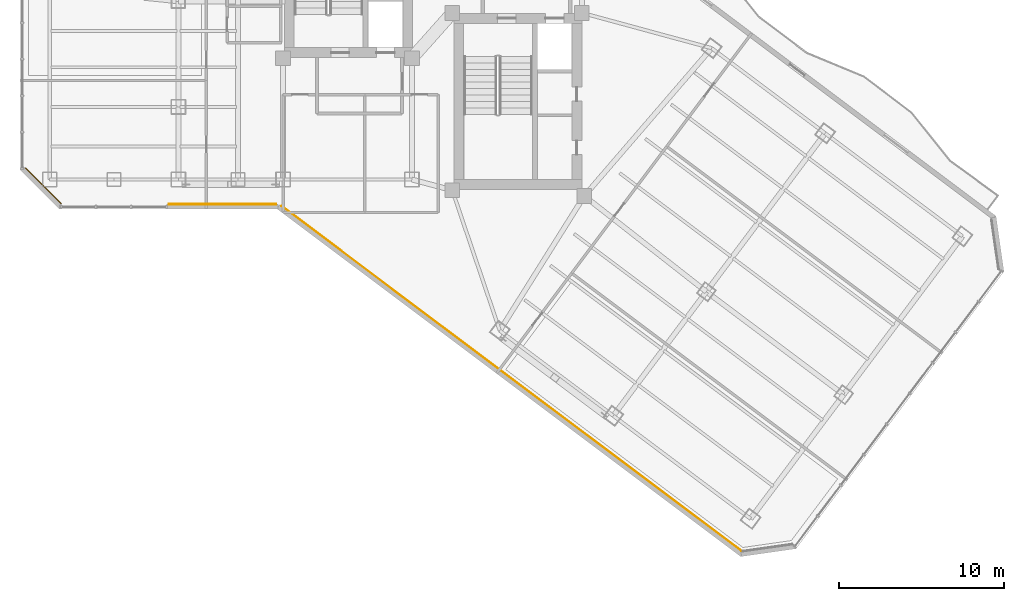
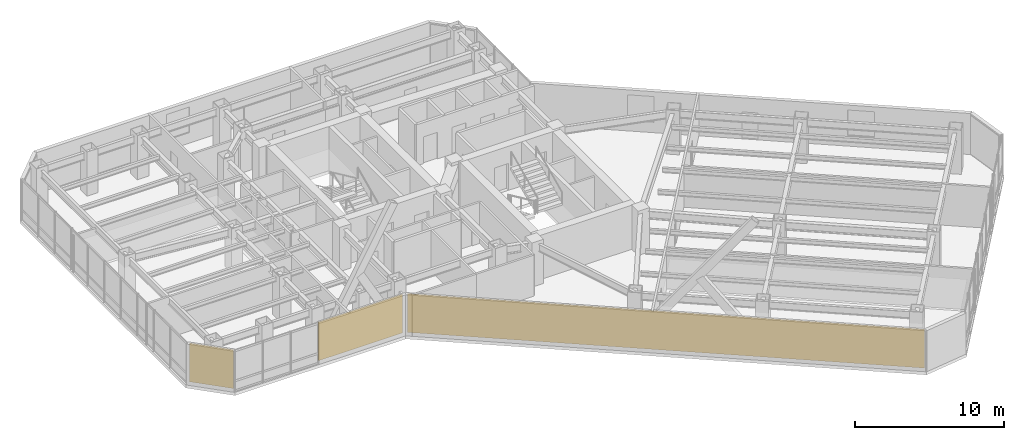
# One storey, part 25 of 29: 3 coverings.
"""IFC4 building model written with IfcOpenShell, lengths in metres."""

import ifcopenshell
import ifcopenshell.guid

model = None  # the IFC model being written
_history = None  # IfcOwnerHistory: only IFC2X3 demands one
_inside = {}  # id of a spatial element -> (the spatial element, [elements in it])
_under = {}  # id of a project, library or spatial element -> (it, [spatial elements below it])
_declared = {}  # id of a project -> (the project, [libraries it declares])
_typed = {}  # id of a type object -> (the type object, [elements of that type])
_made_of = {}  # id of a material, layer set ... -> (it, [elements and type objects made of it])


def new_model(schema):
    """Start an empty IFC model of exactly this schema.

    Asked for "IFC4X3", IfcOpenShell would pick the latest addendum, in which some entities
    have other attributes; the version numbers below select the first issue.
    IFC2X3 requires an IfcOwnerHistory on every rooted entity: one is made here for all.
    """
    global model, _history
    if schema == "IFC4X3":
        model = ifcopenshell.file(schema_version=(4, 3, 0, 0))
    else:
        model = ifcopenshell.file(schema=schema)
    _inside.clear()
    _under.clear()
    _declared.clear()
    _typed.clear()
    _made_of.clear()
    _history = None
    if model.schema == "IFC2X3":
        org = make("IfcOrganization", Name="unknown")
        user = make(
            "IfcPersonAndOrganization",
            ThePerson=make("IfcPerson", FamilyName="unknown"),
            TheOrganization=org,
        )
        app = make(
            "IfcApplication",
            ApplicationDeveloper=org,
            Version="unknown",
            ApplicationFullName="unknown",
            ApplicationIdentifier="unknown",
        )
        _history = make(
            "IfcOwnerHistory",
            OwningUser=user,
            OwningApplication=app,
            ChangeAction="ADDED",
            CreationDate=0,
        )
    return model


def make(cls, **values):
    """One entity of the class cls with the attributes given. An attribute that is None is left unset."""
    return model.create_entity(
        cls, **{name: value for name, value in values.items() if value is not None}
    )


def rooted(cls, **values):
    """An entity with a GlobalId (a new one), such as an element, a storey or a relation."""
    return make(cls, GlobalId=ifcopenshell.guid.new(), OwnerHistory=_history, **values)


def si_unit(unit_type, name, prefix=None):
    """IfcSIUnit, for example si_unit("LENGTHUNIT", "METRE", prefix="MILLI")."""
    return make("IfcSIUnit", UnitType=unit_type, Prefix=prefix, Name=name)


def assignment(units):
    """IfcUnitAssignment: the units of a project."""
    return None if units is None else make("IfcUnitAssignment", Units=units)


def point(xyz):
    """IfcCartesianPoint."""
    return None if xyz is None else make("IfcCartesianPoint", Coordinates=xyz)


def direction(xyz):
    """IfcDirection."""
    return None if xyz is None else make("IfcDirection", DirectionRatios=xyz)


def frame(location, z_axis=None, x_axis=None):
    """IfcAxis2Placement3D, a coordinate frame: its origin and axes. An axis left out is left unset."""
    return make(
        "IfcAxis2Placement3D",
        Location=point(location),
        Axis=direction(z_axis),
        RefDirection=direction(x_axis),
    )


def frame_2d(location, x_axis=None):
    """IfcAxis2Placement2D, a coordinate frame in the plane: its origin and x axis."""
    return make(
        "IfcAxis2Placement2D", Location=point(location), RefDirection=direction(x_axis)
    )


def origin():
    """The frame at (0, 0, 0) with its axes left unset."""
    return frame((0.0, 0.0, 0.0))


def origin_2d():
    """The frame at (0, 0) in the plane with its x axis left unset."""
    return frame_2d((0.0, 0.0))


def place(relative_to, where):
    """IfcLocalPlacement: puts the frame where relative to a parent placement (None: the world)."""
    return make(
        "IfcLocalPlacement", PlacementRelTo=relative_to, RelativePlacement=where
    )


def context(
    kind, dimensions, precision=None, world=None, true_north=None, identifier=None
):
    """IfcGeometricRepresentationContext, for example the 3D "Model" context."""
    return make(
        "IfcGeometricRepresentationContext",
        ContextIdentifier=identifier,
        ContextType=kind,
        CoordinateSpaceDimension=dimensions,
        Precision=precision,
        WorldCoordinateSystem=world,
        TrueNorth=true_north,
    )


def subcontext(parent, identifier, kind, view, scale=None):
    """IfcGeometricRepresentationSubContext, for example "Body" below "Model"."""
    return make(
        "IfcGeometricRepresentationSubContext",
        ContextIdentifier=identifier,
        ContextType=kind,
        ParentContext=parent,
        TargetScale=scale,
        TargetView=view,
    )


def project(units=None, contexts=None):
    """IfcProject with its units and contexts."""
    return rooted(
        "IfcProject",
        Name="project",
        RepresentationContexts=contexts,
        UnitsInContext=assignment(units),
    )


def spatial(cls, under=None, at=None, **own):
    """A site, building, storey or space (cls), placed at a placement, below another one or the project."""
    s = rooted(cls, ObjectPlacement=at, **own)
    if under is not None:
        _under.setdefault(under.id(), (under, []))[1].append(s)
    return s


def profile(cls, at=None, kind="AREA", **sizes):
    """A parametric profile (cls). Its sizes go by their IFC names, for example OverallWidth=200.0."""
    return make(cls, ProfileType=kind, Position=at, **sizes)


def rectangle(**sizes):
    """IfcRectangleProfileDef."""
    return profile("IfcRectangleProfileDef", **sizes)


def extrude(swept, where, along, depth):
    """IfcExtrudedAreaSolid: the profile swept, set in the frame where, extruded along a direction by depth."""
    return make(
        "IfcExtrudedAreaSolid",
        SweptArea=swept,
        Position=where,
        ExtrudedDirection=direction(along),
        Depth=depth,
    )


def shape(context_of_items, identifier, shape_type, items):
    """IfcShapeRepresentation: the items that make up one representation, for example the "Body"."""
    return make(
        "IfcShapeRepresentation",
        ContextOfItems=context_of_items,
        RepresentationIdentifier=identifier,
        RepresentationType=shape_type,
        Items=items,
    )


def material(Name=None, Category=None):
    """IfcMaterial."""
    return make("IfcMaterial", Name=Name, Category=Category)


def layer(
    of_material, thickness, ventilated=None, Name=None, Category=None, Priority=None
):
    """IfcMaterialLayer: one layer of a wall or slab, of a material (None: an air gap)."""
    return make(
        "IfcMaterialLayer",
        Material=of_material,
        LayerThickness=thickness,
        IsVentilated=ventilated,
        Name=Name,
        Category=Category,
        Priority=Priority,
    )


def layer_set(layers, Name=None):
    """IfcMaterialLayerSet."""
    return make("IfcMaterialLayerSet", MaterialLayers=layers, LayerSetName=Name)


def made_of(thing, what):
    """Note that an element or type object is made of a material, layer set ...; save() writes the relation."""
    if what is not None:
        _made_of.setdefault(what.id(), (what, []))[1].append(thing)
    return thing


def type_object(cls, material=None, **own):
    """A type object (cls), such as IfcWallType, which elements share."""
    return made_of(rooted(cls, **own), material)


def element(
    cls,
    number,
    at=None,
    inside=None,
    cuts=None,
    type_object=None,
    material=None,
    context=None,
    identifier="Body",
    shape_type=None,
    held_by="IfcProductDefinitionShape",
    body=None,
    shapes=None,
    **own,
):
    """One element of the class cls, such as IfcWall. Its Tag is "e" and its number.

    at: its placement. inside: the storey or other place that contains it. cuts: it is an
    opening in that element (IfcRelVoidsElement). A single representation is given by context,
    identifier, shape_type and body (its items); several are given by shapes. held_by: the class
    of the entity that holds the representations. save() writes the other relations.
    """
    e = rooted(cls, Tag="e%d" % number, ObjectPlacement=at, **own)
    if body is not None:
        shapes = [shape(context, identifier, shape_type, body)]
    if shapes is not None:
        e.Representation = make(held_by, Representations=shapes)
    if inside is not None:
        _inside.setdefault(inside.id(), (inside, []))[1].append(e)
    if cuts is not None:
        rooted(
            "IfcRelVoidsElement", RelatingBuildingElement=cuts, RelatedOpeningElement=e
        )
    if type_object is not None:
        _typed.setdefault(type_object.id(), (type_object, []))[1].append(e)
    return made_of(e, material)


def aggregate(whole, parts):
    """IfcRelAggregates: a whole, such as a stair, and the parts it consists of."""
    return rooted("IfcRelAggregates", RelatingObject=whole, RelatedObjects=parts)


def save(model, path):
    """Write the relations noted so far, then the file.

    IfcRelAggregates (storeys below a building ...), IfcRelContainedInSpatialStructure (elements
    in a storey), IfcRelDefinesByType, IfcRelAssociatesMaterial and IfcRelDeclares: one each for
    every whole, place, type object, material and project.
    """
    for whole, parts in _under.values():
        aggregate(whole, parts)
    for where, things in _inside.values():
        rooted(
            "IfcRelContainedInSpatialStructure",
            RelatedElements=things,
            RelatingStructure=where,
        )
    for kind, things in _typed.values():
        rooted("IfcRelDefinesByType", RelatedObjects=things, RelatingType=kind)
    for what, things in _made_of.values():
        rooted("IfcRelAssociatesMaterial", RelatedObjects=things, RelatingMaterial=what)
    for by, libraries in _declared.values():
        rooted("IfcRelDeclares", RelatingContext=by, RelatedDefinitions=libraries)
    model.write(path)


model = new_model("IFC4")

# Units and contexts
model_context = context("Model", 3, precision=1e-05, world=origin(), true_north=direction((0.0, 1.0)))
body_context = subcontext(model_context, "Body", "Model", "MODEL_VIEW")
ifc_project = project(units=[si_unit("LENGTHUNIT", "METRE"), si_unit("AREAUNIT", "SQUARE_METRE"), si_unit("VOLUMEUNIT", "CUBIC_METRE"), si_unit("PLANEANGLEUNIT", "RADIAN"), si_unit("MASSUNIT", "GRAM", prefix="KILO")], contexts=[model_context])

# Site, building, storey
site_placement = place(None, origin())
site = spatial("IfcSite", under=ifc_project, at=site_placement, CompositionType="ELEMENT")
building_placement = place(site_placement, origin())
building = spatial("IfcBuilding", under=site, at=building_placement, Name="Hatsunagi Terrace Concourse", CompositionType="ELEMENT")
storey_placement = place(building_placement, frame((0.0, 0.0, 119.25)))
storey = spatial("IfcBuildingStorey", under=building, at=storey_placement, Name="L31", CompositionType="ELEMENT", Elevation=119.25)

# Coverings
ifc_material = material(Name="Unglazed Warm Terracotta Rainscreen Tile", Category="masonry")
ifc_layer = layer(ifc_material, 0.044921875)
ifc_layer_set = layer_set([ifc_layer], Name="TerracottaRainscreenCladding_45")
covering_type = type_object("IfcCoveringType", Name="TerracottaRainscreenCladding_45", PredefinedType="CLADDING", material=ifc_layer_set)
covering_1_placement = place(storey_placement, frame((39.3798828125, 13.14306640625, 0.10009765625), z_axis=(0.0, 0.0, 1.0), x_axis=(-0.800003116929, 0.599995844072, 0.0)))
element("IfcCovering", 1, at=covering_1_placement, inside=storey, type_object=covering_type, Name="Terracotta Rainscreen Cladding L31-05", PredefinedType="CLADDING", context=body_context, shape_type="SweptSolid", body=[
    extrude(rectangle(XDim=34.84912109375, YDim=0.044921875, at=origin_2d()), origin(), (0.0, 0.0, 1.0), 3.14990234375),
])
covering_2_placement = place(storey_placement, frame((21.873046875, 23.701904296875, 0.10009765625), z_axis=(0.0, 0.0, 1.0), x_axis=(-1.0, 0.0, 0.0)))
element("IfcCovering", 2, at=covering_2_placement, inside=storey, type_object=covering_type, Name="Terracotta Rainscreen Cladding L31-06", PredefinedType="CLADDING", context=body_context, shape_type="SweptSolid", body=[
    extrude(rectangle(XDim=6.507080078125, YDim=0.044921875, at=origin_2d()), origin(), (0.0, 0.0, 1.0), 3.14990234375),
])
covering_3_placement = place(storey_placement, frame((11.013916015625, 24.81396484375, 0.10009765625), z_axis=(0.0, 0.0, 1.0), x_axis=(-0.707106781187, 0.707106781187, 0.0)))
element("IfcCovering", 3, at=covering_3_placement, inside=storey, type_object=covering_type, Name="Terracotta Rainscreen Cladding L31-08", PredefinedType="CLADDING", context=body_context, shape_type="SweptSolid", body=[
    extrude(rectangle(XDim=3.0380859375, YDim=0.044921875, at=origin_2d()), origin(), (0.0, 0.0, 1.0), 3.14990234375),
])

save(model, "model.ifc")
